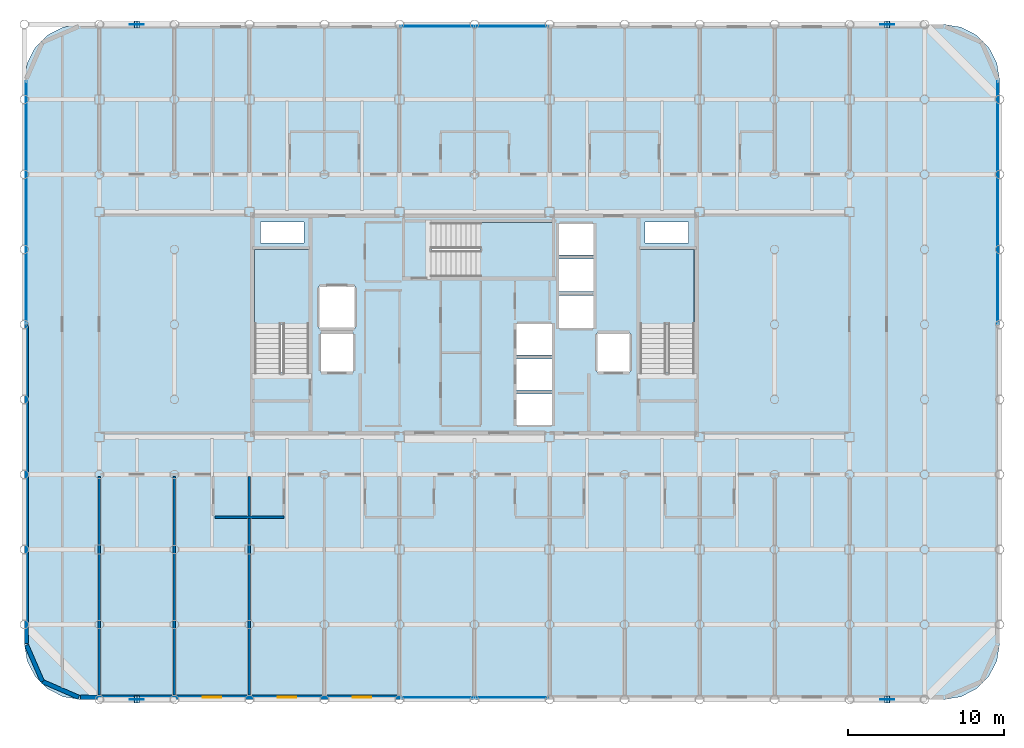
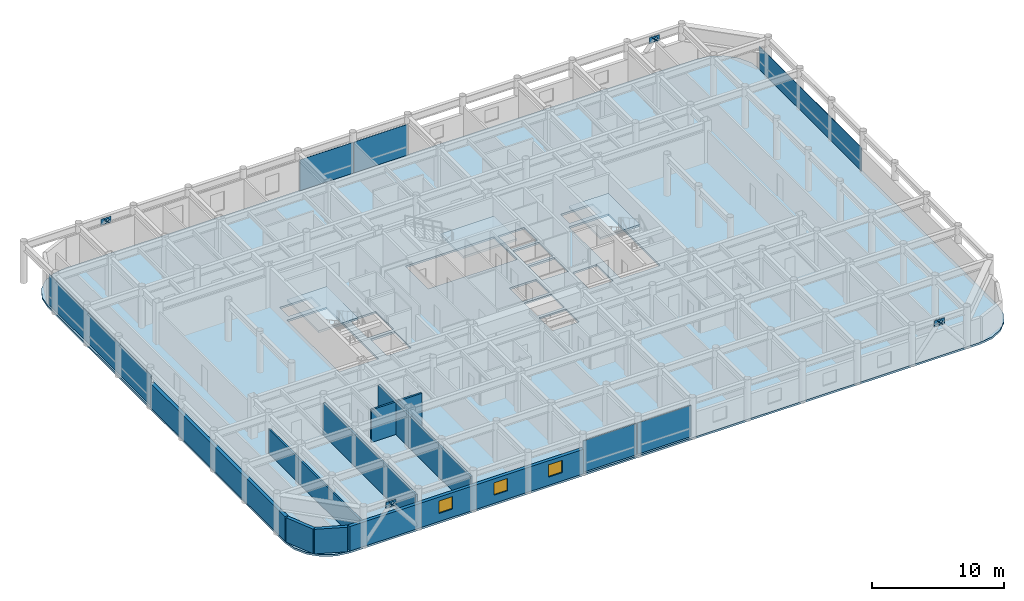
# One storey, part 16 of 22: 18 plates, 8 walls, 4 slabs, 3 windows, 3 openings, 7 elements without a shape of their own.
"""IFC4 building model written with IfcOpenShell, lengths in metres."""

from ifc_helpers import new_model, si_unit, direction, frame, frame_2d, origin, origin_2d, place, context, subcontext, project, spatial, polyline, rectangle, outline, extrude, material, layer, layer_set, type_object, element, fill, aggregate, save


model = new_model("IFC4")

# Units and contexts
model_context = context("Model", 3, precision=1e-05, world=origin(), true_north=direction((0.0, 1.0)))
body_context = subcontext(model_context, "Body", "Model", "MODEL_VIEW")
ifc_project = project(units=[si_unit("LENGTHUNIT", "METRE"), si_unit("AREAUNIT", "SQUARE_METRE"), si_unit("VOLUMEUNIT", "CUBIC_METRE"), si_unit("PLANEANGLEUNIT", "RADIAN"), si_unit("MASSUNIT", "GRAM", prefix="KILO")], contexts=[model_context])

# Site, building, storey
site_placement = place(None, origin())
site = spatial("IfcSite", under=ifc_project, at=site_placement, CompositionType="ELEMENT")
building_placement = place(site_placement, origin())
building = spatial("IfcBuilding", under=site, at=building_placement, Name="Kallvorn Hotel Tower", CompositionType="ELEMENT")
storey_placement = place(building_placement, frame((0.0, 0.0, 199.199951171875)))
storey = spatial("IfcBuildingStorey", under=building, at=storey_placement, Name="L49", CompositionType="ELEMENT", Elevation=199.199951171875)

# Curtain wall, plates
ifc_material_1 = material(Name="Thermally broken black-anodised aluminium AA 6063-T6", Category="aluminium")
ifc_layer_1 = layer(ifc_material_1, 0.22998046875)
ifc_layer_set_1 = layer_set([ifc_layer_1], Name="CW_SYS_5_HOTEL_HIGH")
curtain_wall_type = type_object("IfcCurtainWallType", Name="CW_SYS_5_HOTEL_HIGH", PredefinedType="USERDEFINED", material=ifc_layer_set_1)
curtain_wall_1_placement = place(storey_placement, origin())
curtain_wall_1 = element("IfcCurtainWall", 1, at=curtain_wall_1_placement, inside=storey, type_object=curtain_wall_type, Name="L49 Dark-Glass Curtain Wall CW-L49-SC", ObjectType="UNITISED CURTAIN WALL", PredefinedType="USERDEFINED")
ifc_material_2 = material(Name="Triple-glazed low-e acoustic solar-control dark glass", Category="glass")
ifc_layer_2 = layer(ifc_material_2, 0.04150390625)
ifc_layer_set_2 = layer_set([ifc_layer_2], Name="CW_SYS_5_HOTEL_HIGH_PANEL")
plate_type_1 = type_object("IfcPlateType", Name="CW_SYS_5_HOTEL_HIGH_PANEL", PredefinedType="CURTAIN_PANEL", material=ifc_layer_set_2)
plate_1_placement = place(storey_placement, frame((-2.375, -23.8798828125, 0.06005859375), z_axis=(0.0, 0.0, 1.0), x_axis=(1.0, 0.0, 0.0)))
plate_1 = element("IfcPlate", 2, at=plate_1_placement, type_object=plate_type_1, Name="CW-L49-SC Vision Glass Panel 00", PredefinedType="CURTAIN_PANEL", context=body_context, shape_type="SweptSolid", body=[
    extrude(rectangle(XDim=4.68994140625, YDim=0.04150390625, at=origin_2d()), origin(), (0.0, 0.0, 1.0), 2.89990234375),
])
plate_2_placement = place(storey_placement, frame((2.375, -23.8798828125, 0.06005859375), z_axis=(0.0, 0.0, 1.0), x_axis=(1.0, 0.0, 0.0)))
plate_2 = element("IfcPlate", 3, at=plate_2_placement, type_object=plate_type_1, Name="CW-L49-SC Vision Glass Panel 01", PredefinedType="CURTAIN_PANEL", context=body_context, shape_type="SweptSolid", body=[
    extrude(rectangle(XDim=4.68994140625, YDim=0.04150390625, at=origin_2d()), origin(), (0.0, 0.0, 1.0), 2.89990234375),
])
aggregate(curtain_wall_1, [plate_1, plate_2])

curtain_wall_2_placement = place(storey_placement, origin())
curtain_wall_2 = element("IfcCurtainWall", 4, at=curtain_wall_2_placement, inside=storey, type_object=curtain_wall_type, Name="L49 Dark-Glass Curtain Wall CW-L49-NC", ObjectType="UNITISED CURTAIN WALL", PredefinedType="USERDEFINED")
plate_3_placement = place(storey_placement, frame((-2.375, 19.080078125, 0.06005859375), z_axis=(0.0, 0.0, 1.0), x_axis=(1.0, 0.0, 0.0)))
plate_3 = element("IfcPlate", 5, at=plate_3_placement, type_object=plate_type_1, Name="CW-L49-NC Vision Glass Panel 00", PredefinedType="CURTAIN_PANEL", context=body_context, shape_type="SweptSolid", body=[
    extrude(rectangle(XDim=4.68994140625, YDim=0.04150390625, at=origin_2d()), origin(), (0.0, 0.0, 1.0), 2.85009765625),
])
plate_4_placement = place(storey_placement, frame((2.375, 19.080078125, 0.06005859375), z_axis=(0.0, 0.0, 1.0), x_axis=(1.0, 0.0, 0.0)))
plate_4 = element("IfcPlate", 6, at=plate_4_placement, type_object=plate_type_1, Name="CW-L49-NC Vision Glass Panel 01", PredefinedType="CURTAIN_PANEL", context=body_context, shape_type="SweptSolid", body=[
    extrude(rectangle(XDim=4.68994140625, YDim=0.04150390625, at=origin_2d()), origin(), (0.0, 0.0, 1.0), 2.85009765625),
])
aggregate(curtain_wall_2, [plate_3, plate_4])

# Curtain wall, plate
curtain_wall_3_placement = place(storey_placement, origin())
curtain_wall_3 = element("IfcCurtainWall", 7, at=curtain_wall_3_placement, inside=storey, type_object=curtain_wall_type, Name="L49 Dark-Glass Curtain Wall CW-L49-WN", ObjectType="UNITISED CURTAIN WALL", PredefinedType="USERDEFINED")
plate_5_placement = place(storey_placement, frame((-28.679931640625, 7.81005859375, 0.06005859375), z_axis=(0.0, 0.0, 1.0), x_axis=(0.0, 1.0, 0.0)))
plate_5 = element("IfcPlate", 8, at=plate_5_placement, type_object=plate_type_1, Name="CW-L49-WN Vision Glass Panel 00", PredefinedType="CURTAIN_PANEL", context=body_context, shape_type="SweptSolid", body=[
    extrude(rectangle(XDim=15.52001953125, YDim=0.04150390625, at=origin_2d()), origin(), (0.0, 0.0, 1.0), 2.85009765625),
])
aggregate(curtain_wall_3, [plate_5])

curtain_wall_4_placement = place(storey_placement, origin())
curtain_wall_4 = element("IfcCurtainWall", 9, at=curtain_wall_4_placement, inside=storey, type_object=curtain_wall_type, Name="L49 Dark-Glass Curtain Wall CW-L49-EN", ObjectType="UNITISED CURTAIN WALL", PredefinedType="USERDEFINED")
plate_6_placement = place(storey_placement, frame((33.47998046875, 7.81005859375, 0.06005859375), z_axis=(0.0, 0.0, 1.0), x_axis=(0.0, 1.0, 0.0)))
plate_6 = element("IfcPlate", 10, at=plate_6_placement, type_object=plate_type_1, Name="CW-L49-EN Vision Glass Panel 00", PredefinedType="CURTAIN_PANEL", context=body_context, shape_type="SweptSolid", body=[
    extrude(rectangle(XDim=15.52001953125, YDim=0.04150390625, at=origin_2d()), origin(), (0.0, 0.0, 1.0), 2.14990234375),
])
aggregate(curtain_wall_4, [plate_6])

# Plates
ifc_material_3 = material(Name="Structural steel S355JR", Category="steel")
ifc_layer_3 = layer(ifc_material_3, 0.030029296875)
ifc_layer_set_3 = layer_set([ifc_layer_3], Name="PLT_CAP_30")
plate_type_2 = type_object("IfcPlateType", Name="PLT_CAP_30", PredefinedType="SHEET", material=ifc_layer_set_3)
for number, where, z_axis, x_axis, name in (
    (11, (-21.424072265625, -24.2177734375, 3.03125), (0.627357871236, 0.0, 0.778731084135), (0.0, 1.0, 0.0), "EXO-L49-S1A End Cap Plate B"),
    (12, (-21.77587890625, -23.7822265625, 3.03125), (-0.627357871236, 0.0, 0.778731084135), (0.0, -1.0, 0.0), "EXO-L49-S1B End Cap Plate B"),
    (13, (26.575927734375, -24.2177734375, 3.03125), (0.627357871236, 0.0, 0.778731084135), (0.0, 1.0, 0.0), "EXO-L49-S2A End Cap Plate B"),
    (14, (26.22412109375, -23.7822265625, 3.03125), (-0.627357871236, 0.0, 0.778731084135), (0.0, -1.0, 0.0), "EXO-L49-S2B End Cap Plate B"),
    (15, (-21.424072265625, 18.982177734375, 3.03125), (0.627357871236, 0.0, 0.778731084135), (0.0, 1.0, 0.0), "EXO-L49-N1A End Cap Plate B"),
    (16, (-21.77587890625, 19.417724609375, 3.03125), (-0.627357871236, 0.0, 0.778731084135), (0.0, -1.0, 0.0), "EXO-L49-N1B End Cap Plate B"),
    (17, (26.575927734375, 18.982177734375, 3.03125), (0.627357871236, 0.0, 0.778731084135), (0.0, 1.0, 0.0), "EXO-L49-N2A End Cap Plate B"),
    (18, (26.22412109375, 19.417724609375, 3.03125), (-0.627357871236, 0.0, 0.778731084135), (0.0, -1.0, 0.0), "EXO-L49-N2B End Cap Plate B"),
):
    element("IfcPlate", number, at=place(storey_placement, frame(where, z_axis=z_axis, x_axis=x_axis)), inside=storey, type_object=plate_type_2, Name=name, PredefinedType="SHEET", context=body_context, shape_type="SweptSolid", body=[
        extrude(outline(polyline([(0.0, 0.0), (0.435546875, 0.0), (0.435546875, 0.4354665365665878), (0.0, 0.4354665365665878), (0.0, 0.0)])), origin(), (0.0, 0.0, -1.0), 0.030029296875),
    ])
ifc_material_4 = material(Name="Structural steel S355JR", Category="steel")
ifc_layer_4 = layer(ifc_material_4, 0.034912109375)
ifc_layer_set_4 = layer_set([ifc_layer_4], Name="PLT_GUSSET_35")
plate_type_3 = type_object("IfcPlateType", Name="PLT_GUSSET_35", PredefinedType="USERDEFINED", material=ifc_layer_set_4)
for number, where, z_axis, x_axis, name in (
    (19, (-21.60009765625, -24.0, 2.840087890625), (0.0, 0.0, 1.0), (1.0, 0.0, 0.0), "L49 Exoskeleton Node Gusset S1"),
    (20, (26.39990234375, -24.0, 2.840087890625), (0.0, 0.0, 1.0), (1.0, 0.0, 0.0), "L49 Exoskeleton Node Gusset S2"),
    (21, (-21.60009765625, 19.199951171875, 2.840087890625), (0.0, 0.0, 1.0), (1.0, 0.0, 0.0), "L49 Exoskeleton Node Gusset N1"),
    (22, (26.39990234375, 19.199951171875, 2.840087890625), (0.0, 0.0, 1.0), (1.0, 0.0, 0.0), "L49 Exoskeleton Node Gusset N2"),
):
    element("IfcPlate", number, at=place(storey_placement, frame(where, z_axis=z_axis, x_axis=x_axis)), inside=storey, type_object=plate_type_3, Name=name, ObjectType="GUSSET PLATE", PredefinedType="USERDEFINED", context=body_context, shape_type="SweptSolid", body=[
        extrude(rectangle(XDim=0.89990234375, YDim=0.034912109375, at=origin_2d()), origin(), (0.0, 0.0, 1.0), 0.56005859375),
    ])

# Stair, slab
ifc_material_5 = material(Name="Precast concrete C40/50", Category="concrete")
stair_type = type_object("IfcStairType", Name="STR_CORE_DOGLEG", PredefinedType="HALF_TURN_STAIR", material=ifc_material_5)
stair_1_placement = place(storey_placement, origin())
stair_1 = element("IfcStair", 23, at=stair_1_placement, inside=storey, type_object=stair_type, Name="L49 Exit stair ST1", PredefinedType="HALF_TURN_STAIR")
ifc_material_6 = material(Name="Precast concrete C40/50", Category="concrete")
ifc_layer_5 = layer(ifc_material_6, 0.179931640625)
ifc_layer_set_5 = layer_set([ifc_layer_5], Name="SLB_LANDING_180")
slab_type_1 = type_object("IfcSlabType", Name="SLB_LANDING_180", PredefinedType="LANDING", material=ifc_layer_set_5)
slab_1_placement = place(storey_placement, frame((0.0, 0.0, 1.72509765625)))
slab_1 = element("IfcSlab", 24, at=slab_1_placement, type_object=slab_type_1, Name="ST1 landing 1", PredefinedType="LANDING", context=body_context, shape_type="SweptSolid", body=[
    extrude(outline(polyline([(-10.60009765625, 0.010009765625), (-10.60009765625, 4.800048828125), (-14.06005859375, 4.800048828125), (-14.06005859375, 0.010009765625), (-10.60009765625, 0.010009765625)])), origin(), (0.0, 0.0, 1.0), 0.199951171875),
])
aggregate(stair_1, [slab_1])

stair_2_placement = place(storey_placement, origin())
stair_2 = element("IfcStair", 25, at=stair_2_placement, inside=storey, type_object=stair_type, Name="L49 Exit stair ST2", PredefinedType="HALF_TURN_STAIR")
slab_2_placement = place(storey_placement, frame((0.0, 0.0, 1.72509765625)))
slab_2 = element("IfcSlab", 26, at=slab_2_placement, type_object=slab_type_1, Name="ST2 landing 1", PredefinedType="LANDING", context=body_context, shape_type="SweptSolid", body=[
    extrude(outline(polyline([(14.06005859375, 0.010009765625), (14.06005859375, 4.800048828125), (10.60009765625, 4.800048828125), (10.60009765625, 0.010009765625), (14.06005859375, 0.010009765625)])), origin(), (0.0, 0.0, 1.0), 0.199951171875),
])
aggregate(stair_2, [slab_2])

stair_3_placement = place(storey_placement, origin())
stair_3 = element("IfcStair", 27, at=stair_3_placement, inside=storey, type_object=stair_type, Name="L49 Exit stair ST3", PredefinedType="HALF_TURN_STAIR")
slab_3_placement = place(storey_placement, frame((0.0, 0.0, 1.72509765625)))
slab_3 = element("IfcSlab", 28, at=slab_3_placement, type_object=slab_type_1, Name="ST3 landing 1", PredefinedType="LANDING", context=body_context, shape_type="SweptSolid", body=[
    extrude(outline(polyline([(0.360107421875, 3.050048828125), (5.050048828125, 3.050048828125), (5.050048828125, 6.510009765625), (0.360107421875, 6.510009765625), (0.360107421875, 3.050048828125)])), origin(), (0.0, 0.0, 1.0), 0.199951171875),
])
aggregate(stair_3, [slab_3])

# Slab
ifc_material_7 = material(Name="Concrete C40/50", Category="concrete")
ifc_layer_6 = layer(ifc_material_7, 0.179931640625)
ifc_layer_set_6 = layer_set([ifc_layer_6], Name="SLB_TOWER_180")
slab_type_2 = type_object("IfcSlabType", Name="SLB_TOWER_180", PredefinedType="FLOOR", material=ifc_layer_set_6)
slab_4_placement = place(storey_placement, frame((0.0, 0.0, -0.179931640625)))
element("IfcSlab", 29, at=slab_4_placement, inside=storey, type_object=slab_type_2, Name="L49 Structural Floor Slab", PredefinedType="FLOOR", context=body_context, shape_type="SweptSolid", body=[
    extrude(outline(polyline([(30.0, -24.0), (31.112548828125, -23.82373046875), (32.115966796875, -23.3125), (32.91259765625, -22.51611328125), (33.423828125, -21.512451171875), (33.60009765625, -20.39990234375), (33.60009765625, 15.60009765625), (33.423828125, 16.71240234375), (32.91259765625, 17.716064453125), (32.115966796875, 18.512451171875), (31.112548828125, 19.023681640625), (30.0, 19.199951171875), (-25.199951171875, 19.199951171875), (-26.3125, 19.023681640625), (-27.31591796875, 18.512451171875), (-28.112548828125, 17.716064453125), (-28.623779296875, 16.71240234375), (-28.800048828125, 15.60009765625), (-28.800048828125, -20.39990234375), (-28.623779296875, -21.512451171875), (-28.112548828125, -22.51611328125), (-27.31591796875, -23.3125), (-26.3125, -23.82373046875), (-25.199951171875, -24.0), (30.0, -24.0)]), holes=[polyline([(-10.60009765625, -3.070068359375), (-10.60009765625, 4.800048828125), (-14.06005859375, 4.800048828125), (-14.06005859375, -3.070068359375), (-10.60009765625, -3.070068359375)]), polyline([(14.06005859375, -3.070068359375), (14.06005859375, 4.800048828125), (10.60009765625, 4.800048828125), (10.60009765625, -3.070068359375), (14.06005859375, -3.070068359375)]), polyline([(-2.719970703125, 3.050048828125), (5.050048828125, 3.050048828125), (5.050048828125, 6.510009765625), (-2.719970703125, 6.510009765625), (-2.719970703125, 3.050048828125)]), polyline([(2.64990234375, -6.449951171875), (5.0, -6.449951171875), (5.0, -4.449951171875), (2.64990234375, -4.449951171875), (2.64990234375, -6.449951171875)]), polyline([(2.64990234375, -4.199951171875), (5.0, -4.199951171875), (5.0, -2.199951171875), (2.64990234375, -2.199951171875), (2.64990234375, -4.199951171875)]), polyline([(2.64990234375, -1.949951171875), (5.0, -1.949951171875), (5.0, 0.050048828125), (2.64990234375, 0.050048828125), (2.64990234375, -1.949951171875)]), polyline([(5.35009765625, -0.25), (7.64990234375, -0.25), (7.64990234375, 1.85009765625), (5.35009765625, 1.85009765625), (5.35009765625, -0.25)]), polyline([(5.35009765625, 2.10009765625), (7.64990234375, 2.10009765625), (7.64990234375, 4.199951171875), (5.35009765625, 4.199951171875), (5.35009765625, 2.10009765625)]), polyline([(5.35009765625, 4.449951171875), (7.64990234375, 4.449951171875), (7.64990234375, 6.449951171875), (5.35009765625, 6.449951171875), (5.35009765625, 4.449951171875)]), polyline([(-9.85009765625, -3.050048828125), (-7.75, -3.050048828125), (-7.75, -0.550048828125), (-9.85009765625, -0.550048828125), (-9.85009765625, -3.050048828125)]), polyline([(7.85009765625, -3.050048828125), (9.949951171875, -3.050048828125), (9.949951171875, -0.550048828125), (7.85009765625, -0.550048828125), (7.85009765625, -3.050048828125)]), polyline([(-9.949951171875, -0.25), (-7.64990234375, -0.25), (-7.64990234375, 2.449951171875), (-9.949951171875, 2.449951171875), (-9.949951171875, -0.25)]), polyline([(-13.699951171875, 5.199951171875), (-10.89990234375, 5.199951171875), (-10.89990234375, 6.550048828125), (-13.699951171875, 6.550048828125), (-13.699951171875, 5.199951171875)]), polyline([(10.89990234375, 5.199951171875), (13.699951171875, 5.199951171875), (13.699951171875, 6.550048828125), (10.89990234375, 6.550048828125), (10.89990234375, 5.199951171875)])]), origin(), (0.0, 0.0, 1.0), 0.179931640625),
])

# Walls
ifc_material_8 = material(Name="Fire-rated double-layer acoustic gypsum drywall EI 60")
ifc_layer_7 = layer(ifc_material_8, 0.159912109375)
ifc_layer_set_7 = layer_set([ifc_layer_7], Name="WL_DEMISE_160")
wall_type_1 = type_object("IfcWallType", Name="WL_DEMISE_160", PredefinedType="PARTITIONING", material=ifc_layer_set_7)
wall_1_placement = place(storey_placement, frame((-16.610107421875, -12.320068359375, 0.0), z_axis=(0.0, 0.0, 1.0), x_axis=(1.0, 0.0, 0.0)))
element("IfcWall", 30, at=wall_1_placement, inside=storey, type_object=wall_type_1, Name="L49 Suite 4901 Superior Twin Room Partition", PredefinedType="PARTITIONING", context=body_context, shape_type="SweptSolid", body=[
    extrude(rectangle(XDim=4.420166015625, YDim=0.159912109375, at=frame_2d((2.2099609375, 0.0))), origin(), (0.0, 0.0, 1.0), 3.02001953125),
])
for number, where, z_axis, x_axis, name in (
    (31, (-19.199951171875, -23.7099609375, 0.0), (0.0, 0.0, 1.0), (0.0, 1.0, 0.0), "L49 Suite 4901 Superior Twin Room Partition"),
    (32, (-14.39990234375, -23.7099609375, 0.0), (0.0, 0.0, 1.0), (0.0, 1.0, 0.0), "L49 Suite 4901 Superior Twin Room Partition"),
):
    element("IfcWall", number, at=place(storey_placement, frame(where, z_axis=z_axis, x_axis=x_axis)), inside=storey, type_object=wall_type_1, Name=name, PredefinedType="PARTITIONING", context=body_context, shape_type="SweptSolid", body=[
        extrude(rectangle(XDim=13.989990234375, YDim=0.159912109375, at=frame_2d((6.9951171875, 0.0))), origin(), (0.0, 0.0, 1.0), 2.969970703125),
    ])
ifc_material_9 = material(Name="Precast basalt-clad insulated concrete wall C40/50", Category="masonry")
ifc_layer_8 = layer(ifc_material_9, 0.280029296875)
ifc_layer_set_8 = layer_set([ifc_layer_8], Name="WL_EXT_LOGGIA_280")
wall_type_2 = type_object("IfcWallType", Name="WL_EXT_LOGGIA_280", PredefinedType="SOLIDWALL", material=ifc_layer_set_8)
wall_2_placement = place(storey_placement, frame((-28.657958984375, -20.520751953125, 0.0), z_axis=(0.0, 0.0, 1.0), x_axis=(0.398792985289, -0.917040977756, 0.0)))
element("IfcWall", 33, at=wall_2_placement, inside=storey, type_object=wall_type_2, Name="L49 Rounded Corner Exterior Wall SW1", PredefinedType="SOLIDWALL", context=body_context, shape_type="SweptSolid", body=[
    extrude(rectangle(XDim=2.536376953125, YDim=0.280029296875, at=frame_2d((1.26806640625, 0.0))), origin(), (0.0, 0.0, 1.0), 2.27001953125),
])
wall_3_placement = place(storey_placement, frame((-27.646484375, -22.8466796875, 0.0), z_axis=(0.0, 0.0, 1.0), x_axis=(0.917060872934, -0.398747232384, 0.0)))
element("IfcWall", 34, at=wall_3_placement, inside=storey, type_object=wall_type_2, Name="L49 Rounded Corner Exterior Wall SW2", PredefinedType="SOLIDWALL", context=body_context, shape_type="SweptSolid", body=[
    extrude(rectangle(XDim=2.5361328125, YDim=0.280029296875, at=frame_2d((1.26806640625, 0.0))), origin(), (0.0, 0.0, 1.0), 2.27001953125),
])

# Wall, openings, windows
wall_4_placement = place(storey_placement, frame((-25.199951171875, -23.860107421875, 0.0), z_axis=(0.0, 0.0, 1.0), x_axis=(1.0, 0.0, 0.0)))
wall_4 = element("IfcWall", 35, at=wall_4_placement, inside=storey, type_object=wall_type_2, Name="L49 Exterior Envelope Wall EW-L49-SW", PredefinedType="SOLIDWALL", context=body_context, shape_type="SweptSolid", body=[
    extrude(rectangle(XDim=20.449951171875, YDim=0.280029296875, at=frame_2d((10.22509765625, 0.0))), origin(), (0.0, 0.0, 1.0), 2.27001953125),
])
opening_1_placement = place(wall_4_placement, frame((7.800048828125, 0.0, 0.75)))
opening_1 = element("IfcOpeningElement", 36, at=opening_1_placement, cuts=wall_4, Name="Opening W06A", PredefinedType="OPENING", context=body_context, shape_type="SweptSolid", body=[
    extrude(rectangle(XDim=1.199951171875, YDim=1.14990234375, at=frame_2d((0.60009765625, 0.574951171875))), frame((0.0, 0.155029296875, 0.0), z_axis=(0.0, -1.0, 0.0), x_axis=(1.0, 0.0, 0.0)), (0.0, 0.0, 1.0), 0.31005859375),
])
opening_2_placement = place(wall_4_placement, frame((12.60009765625, 0.0, 0.75)))
opening_2 = element("IfcOpeningElement", 37, at=opening_2_placement, cuts=wall_4, Name="Opening W06A", PredefinedType="OPENING", context=body_context, shape_type="SweptSolid", body=[
    extrude(rectangle(XDim=1.199951171875, YDim=1.14990234375, at=frame_2d((0.60009765625, 0.574951171875))), frame((0.0, 0.155029296875, 0.0), z_axis=(0.0, -1.0, 0.0), x_axis=(1.0, 0.0, 0.0)), (0.0, 0.0, 1.0), 0.31005859375),
])
opening_3_placement = place(wall_4_placement, frame((17.39990234375, 0.0, 0.75)))
opening_3 = element("IfcOpeningElement", 38, at=opening_3_placement, cuts=wall_4, Name="Opening W06A", PredefinedType="OPENING", context=body_context, shape_type="SweptSolid", body=[
    extrude(rectangle(XDim=1.199951171875, YDim=1.14990234375, at=frame_2d((0.60009765625, 0.574951171875))), frame((0.0, 0.155029296875, 0.0), z_axis=(0.0, -1.0, 0.0), x_axis=(1.0, 0.0, 0.0)), (0.0, 0.0, 1.0), 0.31005859375),
])
ifc_material_10 = material(Name="Triple-glazed low-e acoustic solar-control dark glass", Category="glass")
window_type = type_object("IfcWindowType", Name="WN_HTL_1200x1150", PartitioningType="SINGLE_PANEL", PredefinedType="WINDOW", material=ifc_material_10)
window_1_placement = place(opening_1_placement, origin())
window_1 = element("IfcWindow", 39, at=window_1_placement, inside=storey, type_object=window_type, Name="L49 Guestroom Exterior Window 03", OverallHeight=1.14990234375, OverallWidth=1.199951171875, PartitioningType="SINGLE_PANEL", PredefinedType="WINDOW", context=body_context, shape_type="SweptSolid", body=[
    extrude(rectangle(XDim=1.199951171875, YDim=1.14990234375, at=frame_2d((0.60009765625, 0.574951171875))), frame((0.0, 0.030029296875, 0.0), z_axis=(0.0, -1.0, 0.0), x_axis=(1.0, 0.0, 0.0)), (0.0, 0.0, 1.0), 0.06005859375),
])
fill(opening_1, window_1)
window_2_placement = place(opening_2_placement, origin())
window_2 = element("IfcWindow", 40, at=window_2_placement, inside=storey, type_object=window_type, Name="L49 Guestroom Exterior Window 04", OverallHeight=1.14990234375, OverallWidth=1.199951171875, PartitioningType="SINGLE_PANEL", PredefinedType="WINDOW", context=body_context, shape_type="SweptSolid", body=[
    extrude(rectangle(XDim=1.199951171875, YDim=1.14990234375, at=frame_2d((0.60009765625, 0.574951171875))), frame((0.0, 0.030029296875, 0.0), z_axis=(0.0, -1.0, 0.0), x_axis=(1.0, 0.0, 0.0)), (0.0, 0.0, 1.0), 0.06005859375),
])
fill(opening_2, window_2)
window_3_placement = place(opening_3_placement, origin())
window_3 = element("IfcWindow", 41, at=window_3_placement, inside=storey, type_object=window_type, Name="L49 Guestroom Exterior Window 05", OverallHeight=1.14990234375, OverallWidth=1.199951171875, PartitioningType="SINGLE_PANEL", PredefinedType="WINDOW", context=body_context, shape_type="SweptSolid", body=[
    extrude(rectangle(XDim=1.199951171875, YDim=1.14990234375, at=frame_2d((0.60009765625, 0.574951171875))), frame((0.0, 0.030029296875, 0.0), z_axis=(0.0, -1.0, 0.0), x_axis=(1.0, 0.0, 0.0)), (0.0, 0.0, 1.0), 0.06005859375),
])
fill(opening_3, window_3)

# Walls
wall_5_placement = place(storey_placement, frame((-28.659912109375, -20.39990234375, 0.0), z_axis=(0.0, 0.0, 1.0), x_axis=(0.0, 1.0, 0.0)))
element("IfcWall", 42, at=wall_5_placement, inside=storey, type_object=wall_type_2, Name="L49 Exterior Envelope Wall EW-L49-WS", PredefinedType="SOLIDWALL", context=body_context, shape_type="SweptSolid", body=[
    extrude(rectangle(XDim=20.3798828125, YDim=0.280029296875, at=frame_2d((10.18994140625, 0.0))), origin(), (0.0, 0.0, 1.0), 2.27001953125),
])
ifc_material_11 = material(Name="Fire-rated double-layer acoustic gypsum drywall EI 60")
ifc_layer_9 = layer(ifc_material_11, 0.14990234375)
ifc_layer_set_9 = layer_set([ifc_layer_9], Name="WL_PART_150")
wall_type_3 = type_object("IfcWallType", Name="WL_PART_150", PredefinedType="PARTITIONING", material=ifc_layer_set_9)
wall_6_placement = place(storey_placement, frame((-24.0, -23.7099609375, 0.0), z_axis=(0.0, 0.0, 1.0), x_axis=(0.0, 1.0, 0.0)))
element("IfcWall", 43, at=wall_6_placement, inside=storey, type_object=wall_type_3, Name="L49 L49 High-Zone South-West Tea Bar Partition", PredefinedType="PARTITIONING", context=body_context, shape_type="SweptSolid", body=[
    extrude(rectangle(XDim=13.989990234375, YDim=0.14990234375, at=frame_2d((6.9951171875, 0.0))), origin(), (0.0, 0.0, 1.0), 2.27001953125),
])

save(model, "model.ifc")
